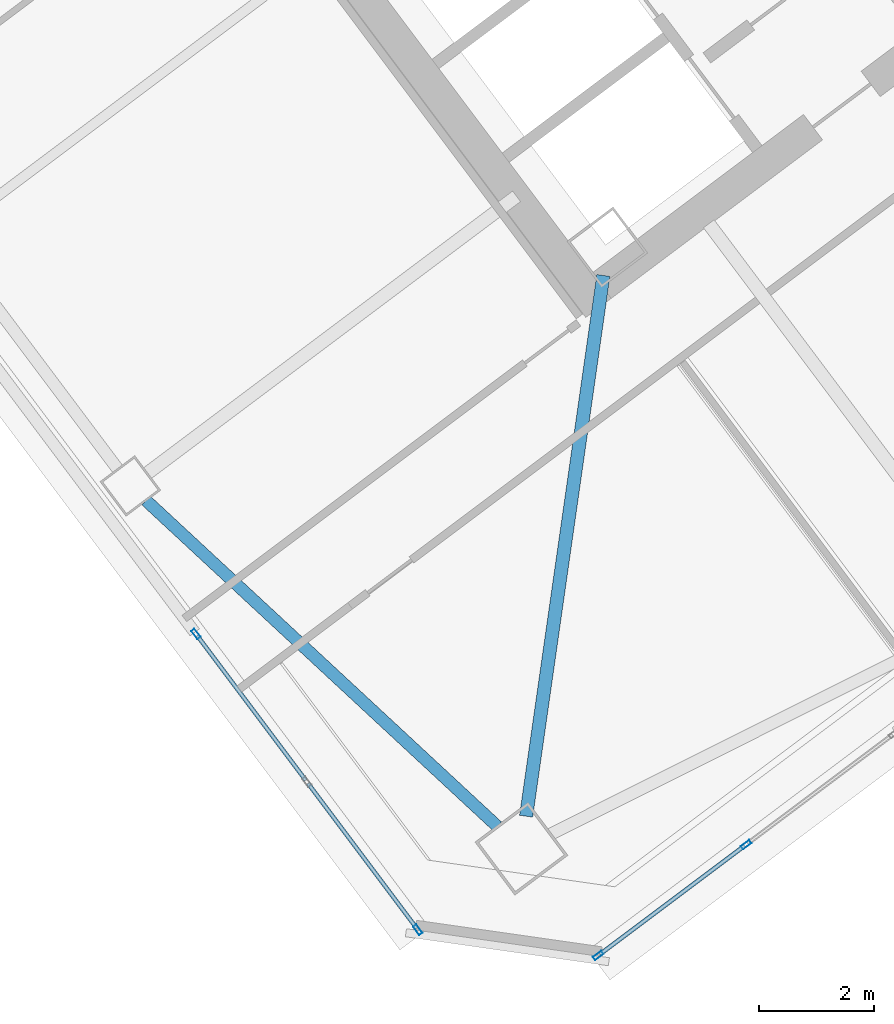
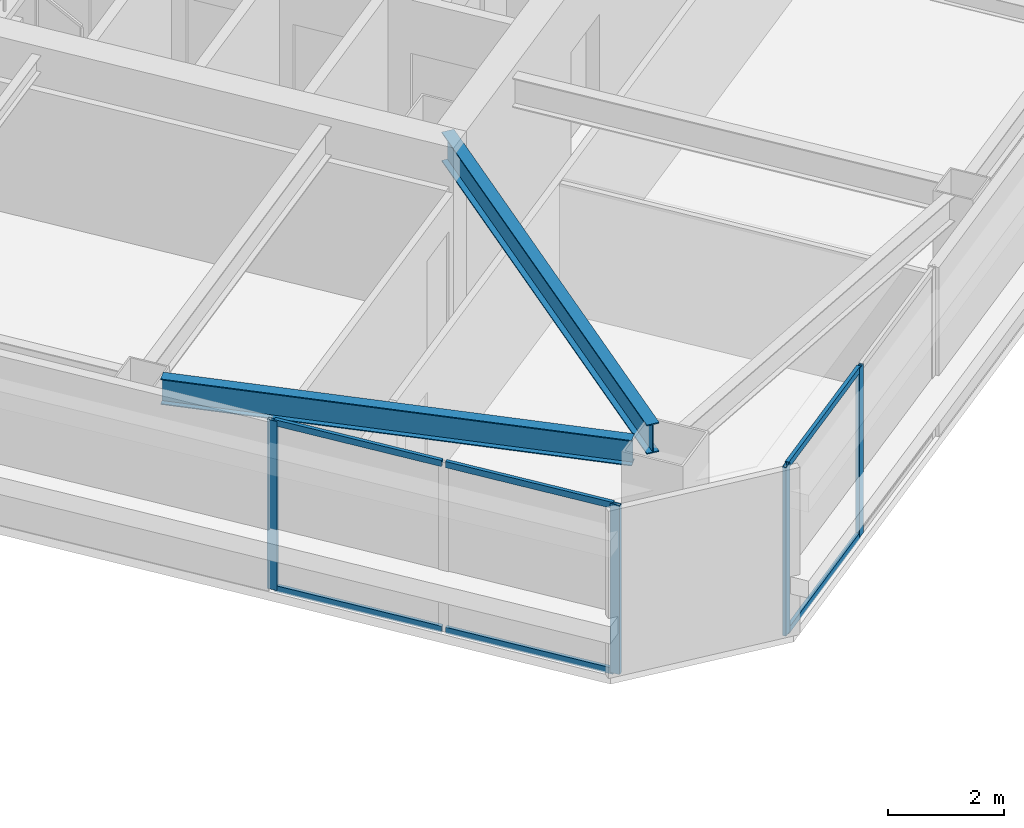
# One storey, part 19 of 44: 10 members, 2 beams, 2 elements without a shape of their own.
"""IFC4 building model written with IfcOpenShell, lengths in metres."""

from ifc_helpers import new_model, si_unit, direction, frame, origin, origin_2d, place, context, subcontext, project, spatial, hollow_rectangle, i_section, extrude, material, material_profile, profile_set, type_object, element, aggregate, save


model = new_model("IFC4")

# Units and contexts
model_context = context("Model", 3, precision=1e-05, world=origin(), true_north=direction((0.0, 1.0)))
body_context = subcontext(model_context, "Body", "Model", "MODEL_VIEW")
ifc_project = project(units=[si_unit("LENGTHUNIT", "METRE"), si_unit("AREAUNIT", "SQUARE_METRE"), si_unit("VOLUMEUNIT", "CUBIC_METRE"), si_unit("PLANEANGLEUNIT", "RADIAN"), si_unit("MASSUNIT", "GRAM", prefix="KILO")], contexts=[model_context])

# Site, building, storey
site_placement = place(None, origin())
site = spatial("IfcSite", under=ifc_project, at=site_placement, CompositionType="ELEMENT")
building_placement = place(site_placement, origin())
building = spatial("IfcBuilding", under=site, at=building_placement, Name="Tashvorn Skyway Center", CompositionType="ELEMENT")
storey_placement = place(building_placement, frame((0.0, 0.0, 181.85009765625)))
storey = spatial("IfcBuildingStorey", under=building, at=storey_placement, Name="L49", CompositionType="ELEMENT", Elevation=181.85009765625)

# Beams
ifc_material_1 = material(Name="Steel ASTM A992 Grade 50", Category="steel")
ifc_material_profile_1 = material_profile(ifc_material_1, i_section(OverallWidth=0.22998046875, OverallDepth=0.616943359375, WebThickness=0.01318359375, FlangeThickness=0.022216796875, at=origin_2d()), Name="W24X94")
ifc_profile_set_1 = profile_set([ifc_material_profile_1], Name="Steel ASTM A992 Grade 50")
beam_type_1 = type_object("IfcBeamType", Name="BM-BEAM-W24X94", PredefinedType="BEAM", material=ifc_profile_set_1)
beam_1_placement = place(storey_placement, frame((111.1806640625, 12.26416015625, 3.0615234375), z_axis=(0.141417747326, 0.989950009213, 0.0), x_axis=(-0.989950009213, 0.141417747326, 0.0)))
element("IfcBeam", 1, at=beam_1_placement, inside=storey, type_object=beam_type_1, Name="Tower 2 L49 Primary Floor Girder MC-SW", PredefinedType="BEAM", context=body_context, shape_type="SweptSolid", body=[
    extrude(i_section(OverallWidth=0.22998046875, OverallDepth=0.616943359375, WebThickness=0.01318359375, FlangeThickness=0.022216796875, at=origin_2d()), origin(), (0.0, 0.0, 1.0), 9.470947265625),
])
ifc_material_profile_2 = material_profile(ifc_material_1, i_section(OverallWidth=0.2109375, OverallDepth=0.5390625, WebThickness=0.01171875, FlangeThickness=0.018798828125, at=origin_2d()), Name="W21X73")
ifc_profile_set_2 = profile_set([ifc_material_profile_2], Name="Steel ASTM A992 Grade 50")
beam_type_2 = type_object("IfcBeamType", Name="BM-SPANDREL-W21X73", PredefinedType="SPANDREL", material=ifc_profile_set_2)
beam_2_placement = place(storey_placement, frame((104.59130859375, 17.73828125, 3.100341796875), z_axis=(0.733101115618, -0.680119661736, 0.0), x_axis=(0.680119661736, 0.733101115618, 0.0)))
element("IfcBeam", 2, at=beam_2_placement, inside=storey, type_object=beam_type_2, Name="Tower 2 L49 Spandrel Beam 12", PredefinedType="SPANDREL", context=body_context, shape_type="SweptSolid", body=[
    extrude(i_section(OverallWidth=0.2109375, OverallDepth=0.5390625, WebThickness=0.01171875, FlangeThickness=0.018798828125, at=origin_2d()), origin(), (0.0, 0.0, 1.0), 8.308349609375),
])

# Curtain wall, members
ifc_material_2 = material(Name="Thermally broken bronze-anodized aluminium 6063-T6", Category="aluminium")
curtain_wall_type = type_object("IfcCurtainWallType", Name="CW-CW-Z4", PredefinedType="NOTDEFINED", material=ifc_material_2)
curtain_wall_1_placement = place(storey_placement, origin())
curtain_wall_1 = element("IfcCurtainWall", 3, at=curtain_wall_1_placement, inside=storey, type_object=curtain_wall_type, Name="Tower 2 L49 South Unitised Curtain Wall Glazing Group 3", PredefinedType="NOTDEFINED")
ifc_material_profile_3 = material_profile(ifc_material_2, hollow_rectangle(XDim=0.070068359375, YDim=0.179931640625, WallThickness=0.00390625, at=origin_2d()), Name="ALU-MULL-70x180")
ifc_profile_set_3 = profile_set([ifc_material_profile_3], Name="Thermally broken bronze-anodized aluminium 6063-T6")
member_type_1 = type_object("IfcMemberType", Name="CWM-CW-Z4", PredefinedType="MULLION", material=ifc_profile_set_3)
member_1_placement = place(storey_placement, frame((114.99609375, 11.77197265625, 0.0), z_axis=(0.0, 0.0, 1.0), x_axis=(0.600000000002, -0.799999999998, 0.0)))
member_1 = element("IfcMember", 4, at=member_1_placement, type_object=member_type_1, Name="CW-Z4 mullion 2", PredefinedType="MULLION", context=body_context, shape_type="SweptSolid", body=[
    extrude(hollow_rectangle(XDim=0.070068359375, YDim=0.179931640625, WallThickness=0.00390625, at=origin_2d()), origin(), (0.0, 0.0, 1.0), 3.5498046875),
])
member_2_placement = place(storey_placement, frame((112.431884765625, 9.84912109375, 0.0), z_axis=(0.0, 0.0, 1.0), x_axis=(0.600000000002, -0.799999999998, 0.0)))
member_2 = element("IfcMember", 5, at=member_2_placement, type_object=member_type_1, Name="CW-Z4 mullion 3", PredefinedType="MULLION", context=body_context, shape_type="SweptSolid", body=[
    extrude(hollow_rectangle(XDim=0.070068359375, YDim=0.179931640625, WallThickness=0.00390625, at=origin_2d()), origin(), (0.0, 0.0, 1.0), 3.5498046875),
])

curtain_wall_2_placement = place(storey_placement, origin())
curtain_wall_2 = element("IfcCurtainWall", 6, at=curtain_wall_2_placement, inside=storey, type_object=curtain_wall_type, Name="Tower 2 L49 West Unitised Curtain Wall Glazing Group 1", PredefinedType="NOTDEFINED")
member_3_placement = place(storey_placement, frame((109.302978515625, 10.2958984375, 0.0), z_axis=(0.0, 0.0, 1.0), x_axis=(-0.799999999998, -0.600000000002, 0.0)))
member_3 = element("IfcMember", 7, at=member_3_placement, type_object=member_type_1, Name="CW-Z4 mullion 1", PredefinedType="MULLION", context=body_context, shape_type="SweptSolid", body=[
    extrude(hollow_rectangle(XDim=0.070068359375, YDim=0.179931640625, WallThickness=0.00390625, at=origin_2d()), origin(), (0.0, 0.0, 1.0), 3.5498046875),
])
member_4_placement = place(storey_placement, frame((105.45703125, 15.424072265625, 0.0), z_axis=(0.0, 0.0, 1.0), x_axis=(-0.799999999998, -0.600000000002, 0.0)))
member_4 = element("IfcMember", 8, at=member_4_placement, type_object=member_type_1, Name="CW-Z4 mullion 3", PredefinedType="MULLION", context=body_context, shape_type="SweptSolid", body=[
    extrude(hollow_rectangle(XDim=0.070068359375, YDim=0.179931640625, WallThickness=0.00390625, at=origin_2d()), origin(), (0.0, 0.0, 1.0), 3.5498046875),
])

# Member
ifc_material_profile_4 = material_profile(ifc_material_2, hollow_rectangle(XDim=0.070068359375, YDim=0.1298828125, WallThickness=0.00390625, at=origin_2d()), Name="ALU-TRAN-70x130")
ifc_profile_set_4 = profile_set([ifc_material_profile_4], Name="Thermally broken bronze-anodized aluminium 6063-T6")
member_type_2 = type_object("IfcMemberType", Name="CWT-CW-Z4", PredefinedType="USERDEFINED", material=ifc_profile_set_4)
member_5_placement = place(storey_placement, frame((114.968017578125, 11.7509765625, 0.034912109375), z_axis=(-0.800028034763, -0.599962618496, 0.0), x_axis=(0.599962618496, -0.800028034763, 0.0)))
member_5 = element("IfcMember", 9, at=member_5_placement, type_object=member_type_2, Name="CW-Z4 transom 2.1", ObjectType="TRANSOM", PredefinedType="USERDEFINED", context=body_context, shape_type="SweptSolid", body=[
    extrude(hollow_rectangle(XDim=0.070068359375, YDim=0.1298828125, WallThickness=0.00390625, at=origin_2d()), origin(), (0.0, 0.0, 1.0), 3.135009765625),
])

member_6_placement = place(storey_placement, frame((114.968017578125, 11.7509765625, 3.514892578125), z_axis=(-0.800028034763, -0.599962618496, 0.0), x_axis=(0.599962618496, -0.800028034763, 0.0)))
member_6 = element("IfcMember", 10, at=member_6_placement, type_object=member_type_2, Name="CW-Z4 transom 2.2", ObjectType="TRANSOM", PredefinedType="USERDEFINED", context=body_context, shape_type="SweptSolid", body=[
    extrude(hollow_rectangle(XDim=0.070068359375, YDim=0.1298828125, WallThickness=0.00390625, at=origin_2d()), origin(), (0.0, 0.0, 1.0), 3.135009765625),
])

aggregate(curtain_wall_1, [member_1, member_2, member_5, member_6])

member_7_placement = place(storey_placement, frame((109.281982421875, 10.323974609375, 0.034912109375), z_axis=(-0.600012459628, 0.799990655127, 0.0), x_axis=(-0.799990655127, -0.600012459628, 0.0)))
member_7 = element("IfcMember", 11, at=member_7_placement, type_object=member_type_2, Name="CW-Z4 transom 1.1", ObjectType="TRANSOM", PredefinedType="USERDEFINED", context=body_context, shape_type="SweptSolid", body=[
    extrude(hollow_rectangle(XDim=0.070068359375, YDim=0.1298828125, WallThickness=0.00390625, at=origin_2d()), origin(), (0.0, 0.0, 1.0), 3.135009765625),
])

member_8_placement = place(storey_placement, frame((109.281982421875, 10.323974609375, 3.514892578125), z_axis=(-0.600012459628, 0.799990655127, 0.0), x_axis=(-0.799990655127, -0.600012459628, 0.0)))
member_8 = element("IfcMember", 12, at=member_8_placement, type_object=member_type_2, Name="CW-Z4 transom 1.2", ObjectType="TRANSOM", PredefinedType="USERDEFINED", context=body_context, shape_type="SweptSolid", body=[
    extrude(hollow_rectangle(XDim=0.070068359375, YDim=0.1298828125, WallThickness=0.00390625, at=origin_2d()), origin(), (0.0, 0.0, 1.0), 3.135009765625),
])

member_9_placement = place(storey_placement, frame((107.35888671875, 12.887939453125, 0.034912109375), z_axis=(-0.599962618496, 0.800028034763, 0.0), x_axis=(-0.800028034763, -0.599962618496, 0.0)))
member_9 = element("IfcMember", 13, at=member_9_placement, type_object=member_type_2, Name="CW-Z4 transom 2.1", ObjectType="TRANSOM", PredefinedType="USERDEFINED", context=body_context, shape_type="SweptSolid", body=[
    extrude(hollow_rectangle(XDim=0.070068359375, YDim=0.1298828125, WallThickness=0.00390625, at=origin_2d()), origin(), (0.0, 0.0, 1.0), 3.135009765625),
])

member_10_placement = place(storey_placement, frame((107.35888671875, 12.887939453125, 3.514892578125), z_axis=(-0.599962618496, 0.800028034763, 0.0), x_axis=(-0.800028034763, -0.599962618496, 0.0)))
member_10 = element("IfcMember", 14, at=member_10_placement, type_object=member_type_2, Name="CW-Z4 transom 2.2", ObjectType="TRANSOM", PredefinedType="USERDEFINED", context=body_context, shape_type="SweptSolid", body=[
    extrude(hollow_rectangle(XDim=0.070068359375, YDim=0.1298828125, WallThickness=0.00390625, at=origin_2d()), origin(), (0.0, 0.0, 1.0), 3.135009765625),
])

aggregate(curtain_wall_2, [member_3, member_4, member_7, member_8, member_9, member_10])

save(model, "model.ifc")
